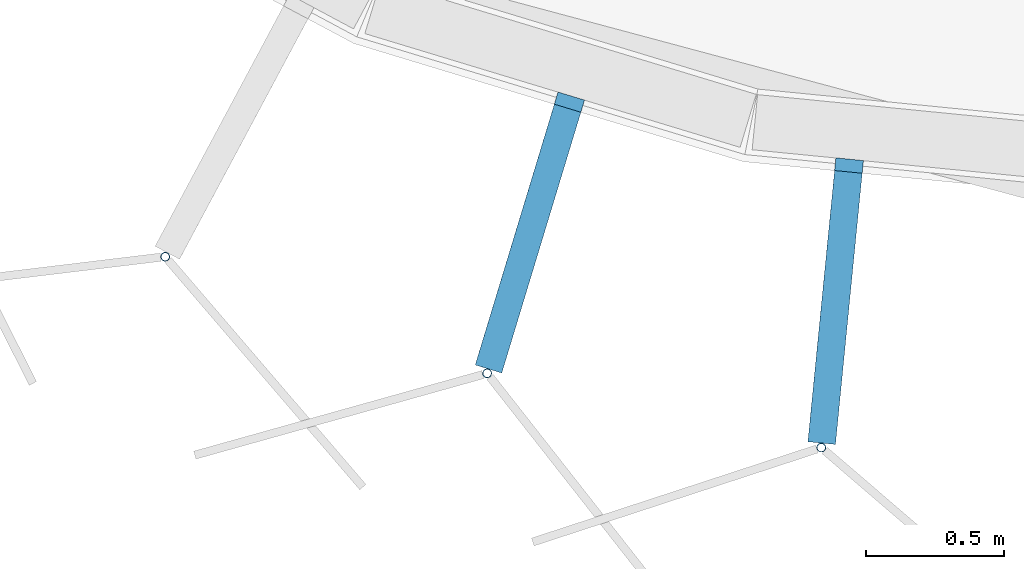
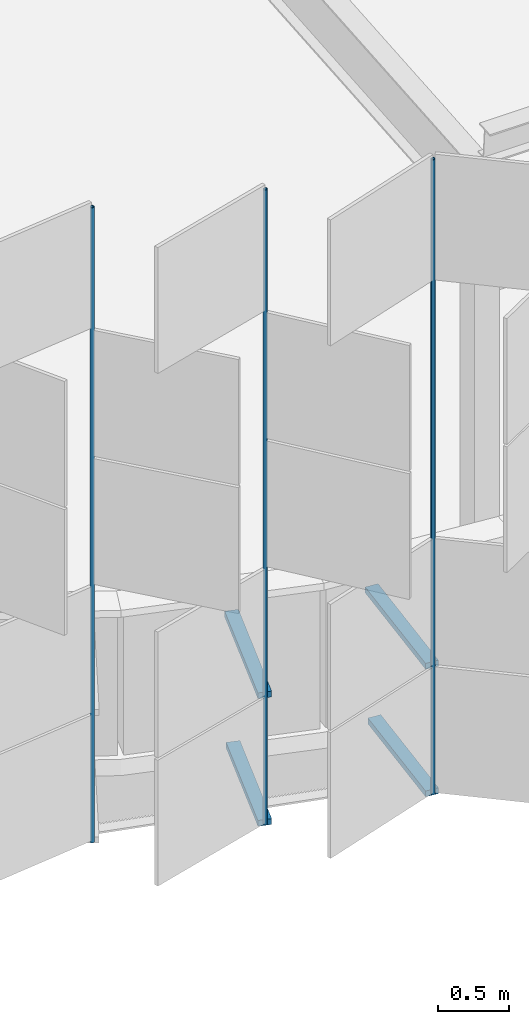
# One storey, part 129 of 483: 7 discrete accessories.
"""IFC4 building model written with IfcOpenShell, lengths in metres."""

from ifc_helpers import new_model, si_unit, direction, frame, origin, origin_2d, place, context, subcontext, project, spatial, rectangle, hollow_circle, extrude, material, material_profile, profile_set, type_object, element, save


model = new_model("IFC4")

# Units and contexts
model_context = context("Model", 3, precision=1e-05, world=origin(), true_north=direction((0.0, 1.0)))
body_context = subcontext(model_context, "Body", "Model", "MODEL_VIEW")
ifc_project = project(units=[si_unit("LENGTHUNIT", "METRE"), si_unit("AREAUNIT", "SQUARE_METRE"), si_unit("VOLUMEUNIT", "CUBIC_METRE"), si_unit("PLANEANGLEUNIT", "RADIAN"), si_unit("MASSUNIT", "GRAM", prefix="KILO")], contexts=[model_context])

# Site, building, storey
site_placement = place(None, origin())
site = spatial("IfcSite", under=ifc_project, at=site_placement, CompositionType="ELEMENT")
building_placement = place(site_placement, origin())
building = spatial("IfcBuilding", under=site, at=building_placement, Name="Parallax Yard Mobility Hub", CompositionType="ELEMENT")
storey_placement = place(building_placement, frame((0.0, 0.0, 13.199951171875)))
storey = spatial("IfcBuildingStorey", under=building, at=storey_placement, Name="L04", CompositionType="ELEMENT", Elevation=13.199951171875)

# Discrete accessories
ifc_material_1 = material(Name="Steel ASTM A36, hot-dip galvanised", Category="steel")
discrete_accessory_type_1 = type_object("IfcDiscreteAccessoryType", Name="Hinge bracket plate 100x50", PredefinedType="BRACKET", material=ifc_material_1)
discrete_accessory_1_placement = place(storey_placement, frame((27.759521484375, 112.3662109375, -0.02490234375), z_axis=(0.0, 0.0, 1.0), x_axis=(-0.290284677254, -0.956940335732, 0.0)))
element("IfcDiscreteAccessory", 1, at=discrete_accessory_1_placement, inside=storey, type_object=discrete_accessory_type_1, Name="Hinge bracket plate bay 72.10 level L04", PredefinedType="BRACKET", context=body_context, shape_type="SweptSolid", body=[
    extrude(rectangle(XDim=0.984130859375, YDim=0.10009765625, at=origin_2d()), origin(), (0.0, 0.0, 1.0), 0.050048828125),
])
discrete_accessory_2_placement = place(storey_placement, frame((27.76611328125, 112.38818359375, 1.06982421875), z_axis=(0.0, 0.0, 1.0), x_axis=(-0.290284677254, -0.956940335732, 0.0)))
element("IfcDiscreteAccessory", 2, at=discrete_accessory_2_placement, inside=storey, type_object=discrete_accessory_type_1, Name="Hinge bracket plate bay 72.10 level L04", PredefinedType="BRACKET", context=body_context, shape_type="SweptSolid", body=[
    extrude(rectangle(XDim=1.030029296875, YDim=0.10009765625, at=origin_2d()), origin(), (0.0, 0.0, 1.0), 0.050048828125),
])
discrete_accessory_3_placement = place(storey_placement, frame((28.8681640625, 112.117431640625, -0.02490234375), z_axis=(0.0, 0.0, 1.0), x_axis=(-0.09801714033, -0.995184726672, 0.0)))
element("IfcDiscreteAccessory", 3, at=discrete_accessory_3_placement, inside=storey, type_object=discrete_accessory_type_1, Name="Hinge bracket plate bay 72.11 level L04", PredefinedType="BRACKET", context=body_context, shape_type="SweptSolid", body=[
    extrude(rectangle(XDim=0.984130859375, YDim=0.10009765625, at=origin_2d()), origin(), (0.0, 0.0, 1.0), 0.050048828125),
])
discrete_accessory_4_placement = place(storey_placement, frame((28.870361328125, 112.140380859375, 1.06982421875), z_axis=(0.0, 0.0, 1.0), x_axis=(-0.09801714033, -0.995184726672, 0.0)))
element("IfcDiscreteAccessory", 4, at=discrete_accessory_4_placement, inside=storey, type_object=discrete_accessory_type_1, Name="Hinge bracket plate bay 72.11 level L04", PredefinedType="BRACKET", context=body_context, shape_type="SweptSolid", body=[
    extrude(rectangle(XDim=1.030029296875, YDim=0.10009765625, at=origin_2d()), origin(), (0.0, 0.0, 1.0), 0.050048828125),
])
ifc_material_2 = material(Name="Steel ASTM A500 Gr C, hot-dip galvanised", Category="steel")
ifc_material_profile = material_profile(ifc_material_2, hollow_circle(Radius=0.016845703125, WallThickness=0.003173828125, at=origin_2d()), Name="CHS 33.7x3.2")
ifc_profile_set = profile_set([ifc_material_profile], Name="Steel ASTM A500 Gr C, hot-dip galvanised")
discrete_accessory_type_2 = type_object("IfcDiscreteAccessoryType", Name="Hinge post CHS 33.7x3.2", PredefinedType="BRACKET", material=ifc_profile_set)
for number, where, z_axis, x_axis, name in (
    (5, (26.44921875, 112.30078125, 0.0), (0.0, 0.0, 1.0), (1.0, 0.0, 0.0), "Hinge post bay 72.9 level L04"),
    (6, (27.61181640625, 111.879638671875, 0.0), (0.0, 0.0, 1.0), (1.0, 0.0, 0.0), "Hinge post bay 72.10 level L04"),
    (7, (28.818359375, 111.611572265625, 0.0), (0.0, 0.0, 1.0), (1.0, 0.0, 0.0), "Hinge post bay 72.11 level L04"),
):
    element("IfcDiscreteAccessory", number, at=place(storey_placement, frame(where, z_axis=z_axis, x_axis=x_axis)), inside=storey, type_object=discrete_accessory_type_2, Name=name, PredefinedType="BRACKET", context=body_context, shape_type="SweptSolid", body=[
        extrude(hollow_circle(Radius=0.016845703125, WallThickness=0.003173828125, at=origin_2d()), origin(), (0.0, 0.0, 1.0), 5.449951171875),
    ])

save(model, "model.ifc")
